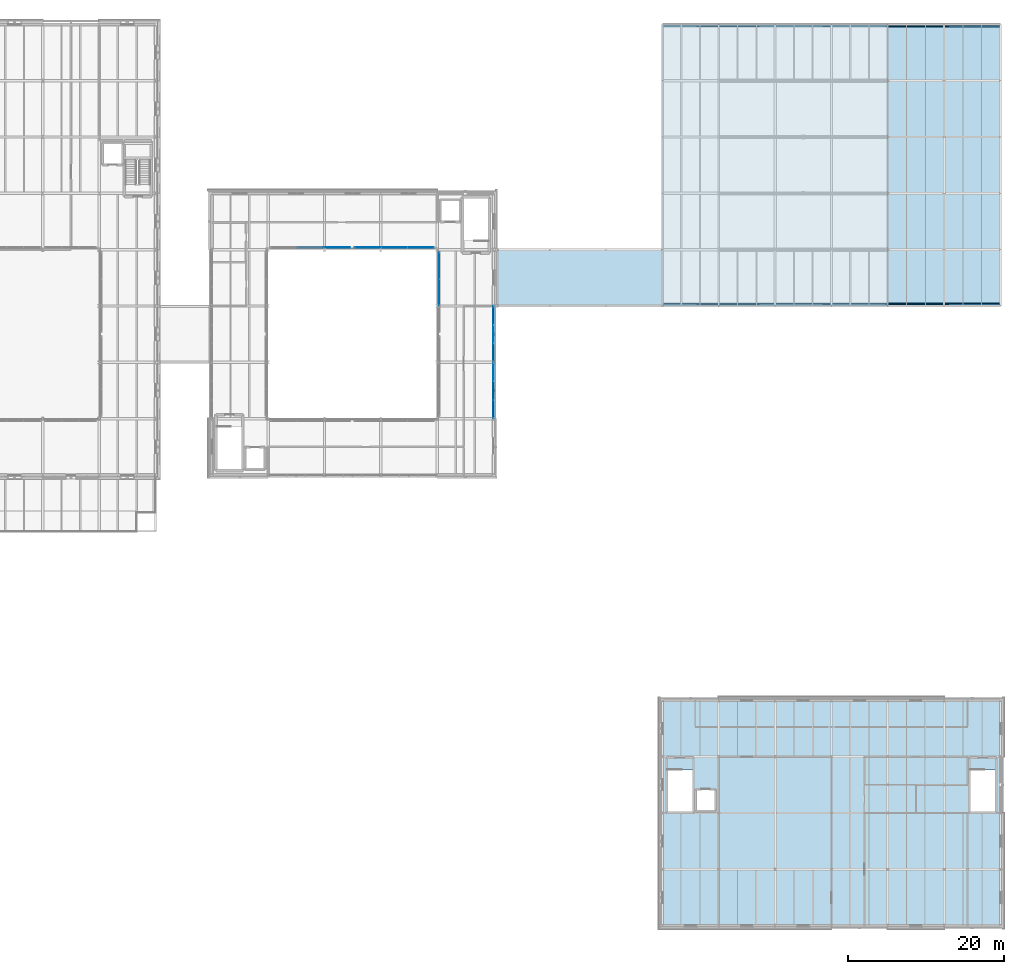
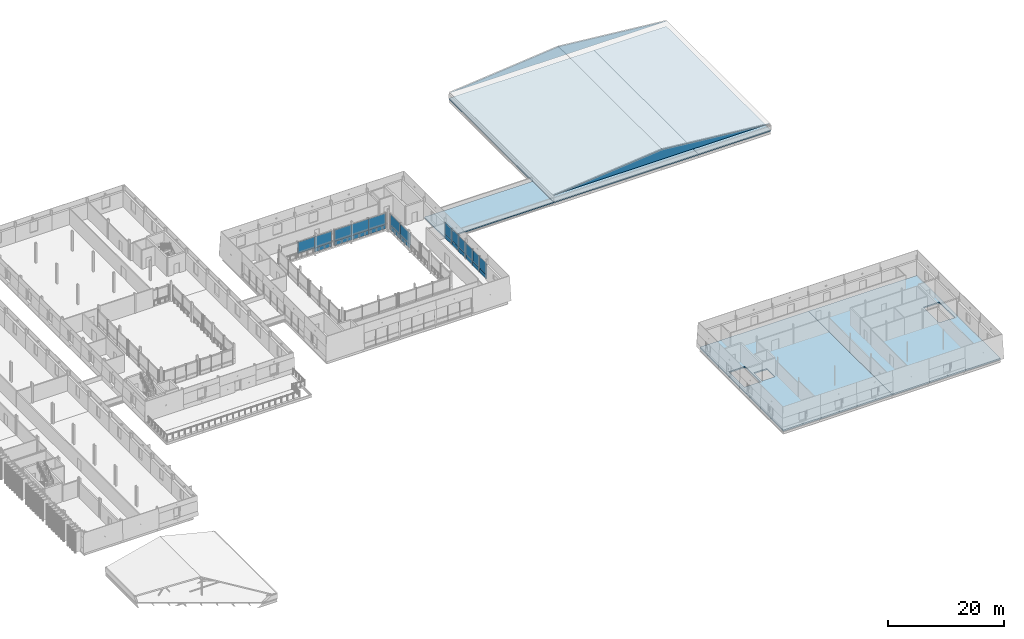
# One storey, part 49 of 91: 27 plates, 5 slabs, 5 elements without a shape of their own.
"""IFC4 building model written with IfcOpenShell, lengths in metres."""

from ifc_helpers import new_model, si_unit, direction, frame, origin, origin_2d, place, context, subcontext, project, spatial, polyline, rectangle, outline, extrude, material, layer, layer_set, type_object, element, aggregate, save


model = new_model("IFC4")

# Units and contexts
model_context = context("Model", 3, precision=1e-05, world=origin(), true_north=direction((0.0, 1.0)))
body_context = subcontext(model_context, "Body", "Model", "MODEL_VIEW")
ifc_project = project(units=[si_unit("LENGTHUNIT", "METRE"), si_unit("AREAUNIT", "SQUARE_METRE"), si_unit("VOLUMEUNIT", "CUBIC_METRE"), si_unit("PLANEANGLEUNIT", "RADIAN"), si_unit("MASSUNIT", "GRAM", prefix="KILO")], contexts=[model_context])

# Site, building, storey
site_placement = place(None, origin())
site = spatial("IfcSite", under=ifc_project, at=site_placement, CompositionType="ELEMENT")
building_placement = place(site_placement, origin())
building = spatial("IfcBuilding", under=site, at=building_placement, Name="Narikvali Park Central Library", CompositionType="ELEMENT")
storey_placement = place(building_placement, frame((0.0, 0.0, 14.39990234375)))
storey = spatial("IfcBuildingStorey", under=building, at=storey_placement, Name="L03", CompositionType="ELEMENT", Elevation=14.39990234375)

# Plates
ifc_material_1 = material(Name="White Honed Limestone Cladding", Category="masonry")
ifc_layer_1 = layer(ifc_material_1, 0.179931640625, Name="White Honed Limestone Cladding")
ifc_layer_set_1 = layer_set([ifc_layer_1], Name="White Honed Limestone Cladding")
plate_type_1 = type_object("IfcPlateType", Name="Classical Limestone Gable Tympanum 180", PredefinedType="SHEET", material=ifc_layer_set_1)
for number, where, z_axis, x_axis, name in (
    (1, (122.550048828125, 79.35009765625, 1.300048828125), (0.0, -1.0, 0.0), (1.0, 0.0, 0.0), "V3 L03 Classical Gable Pediment Tympanum S"),
    (2, (165.449951171875, 115.050048828125, 1.300048828125), (0.0, 1.0, 0.0), (-1.0, 0.0, 0.0), "V3 L03 Classical Gable Pediment Tympanum N"),
):
    element("IfcPlate", number, at=place(storey_placement, frame(where, z_axis=z_axis, x_axis=x_axis)), inside=storey, type_object=plate_type_1, Name=name, PredefinedType="SHEET", context=body_context, shape_type="SweptSolid", body=[
        extrude(outline(polyline([(0.0, 0.0), (42.89990234375, 0.0), (21.449951171875, 2.14013671875), (0.0, 0.0)])), origin(), (0.0, 0.0, -1.0), 0.179931640625),
    ])

# Slabs
ifc_material_2 = material(Name="Concrete C35/45", Category="concrete")
ifc_layer_2 = layer(ifc_material_2, 0.280029296875, Name="Concrete C35/45")
ifc_layer_set_2 = layer_set([ifc_layer_2], Name="Concrete C35/45")
slab_type_1 = type_object("IfcSlabType", Name="Composite Reading Floor Slab 280", PredefinedType="FLOOR", material=ifc_layer_set_2)
slab_1_placement = place(storey_placement, frame((0.0, 0.0, -0.27978515625)))
element("IfcSlab", 3, at=slab_1_placement, inside=storey, type_object=slab_type_1, Name="V6 L03 Structural Slab Panel 1", PredefinedType="FLOOR", context=body_context, shape_type="SweptSolid", body=[
    extrude(outline(polyline([(122.39990234375, 0.0), (144.0, 0.0), (144.0, 28.800048828125), (122.39990234375, 28.800048828125), (122.39990234375, 0.0)]), holes=[polyline([(123.050048828125, 14.550048828125), (126.25, 14.550048828125), (126.25, 19.89990234375), (123.050048828125, 19.89990234375), (123.050048828125, 14.550048828125)]), polyline([(126.64990234375, 14.64990234375), (129.199951171875, 14.64990234375), (129.199951171875, 17.449951171875), (126.64990234375, 17.449951171875), (126.64990234375, 14.64990234375)])]), origin(), (0.0, 0.0, 1.0), 0.27978515625),
])
slab_2_placement = place(storey_placement, frame((0.0, 0.0, -0.27978515625)))
element("IfcSlab", 4, at=slab_2_placement, inside=storey, type_object=slab_type_1, Name="V6 L03 Structural Slab Panel 2", PredefinedType="FLOOR", context=body_context, shape_type="SweptSolid", body=[
    extrude(outline(polyline([(144.0, 0.0), (165.60009765625, 0.0), (165.60009765625, 28.800048828125), (144.0, 28.800048828125), (144.0, 0.0)]), holes=[polyline([(161.75, 14.550048828125), (164.949951171875, 14.550048828125), (164.949951171875, 19.89990234375), (161.75, 19.89990234375), (161.75, 14.550048828125)])]), origin(), (0.0, 0.0, 1.0), 0.27978515625),
])

# Curtain wall, plate
ifc_material_3 = material(Name="Anodised Bronze Aluminium", Category="aluminium")
ifc_layer_3 = layer(ifc_material_3, 0.219970703125, Name="Anodised Bronze Aluminium")
ifc_layer_set_3 = layer_set([ifc_layer_3], Name="Anodised Bronze Aluminium")
curtain_wall_type_1 = type_object("IfcCurtainWallType", Name="Rotunda Drum Clerestory Curtain Wall", PredefinedType="NOTDEFINED", material=ifc_layer_set_3)
curtain_wall_1_placement = place(storey_placement, origin())
curtain_wall_1 = element("IfcCurtainWall", 5, at=curtain_wall_1_placement, inside=storey, type_object=curtain_wall_type_1, Name="Rotunda Drum Clerestory Curtain Wall CW-V1-L03-E-02", PredefinedType="NOTDEFINED")
ifc_material_4 = material(Name="Anodised Bronze Acoustic Spandrel Cassette")
ifc_layer_4 = layer(ifc_material_4, 0.1650390625, Name="Anodised Bronze Acoustic Spandrel Cassette")
ifc_layer_set_4 = layer_set([ifc_layer_4], Name="Anodised Bronze Acoustic Spandrel Cassette")
plate_type_2 = type_object("IfcPlateType", Name="Curtain Wall Acoustic Plenum Louvre Cassette 165", PredefinedType="CURTAIN_PANEL", material=ifc_layer_set_4)
plate_1_placement = place(storey_placement, frame((100.800048828125, 68.39990234375, 0.03515625), z_axis=(0.0, 0.0, 1.0), x_axis=(0.0, 1.0, 0.0)))
plate_1 = element("IfcPlate", 6, at=plate_1_placement, type_object=plate_type_2, Name="CW-V1-L03-E-02 Panel 01-0", PredefinedType="CURTAIN_PANEL", context=body_context, shape_type="SweptSolid", body=[
    extrude(rectangle(XDim=2.36474609375, YDim=0.1650390625, at=origin_2d()), origin(), (0.0, 0.0, 1.0), 0.860107421875),
])

curtain_wall_2_placement = place(storey_placement, origin())
curtain_wall_2 = element("IfcCurtainWall", 7, at=curtain_wall_2_placement, inside=storey, type_object=curtain_wall_type_1, Name="Rotunda Drum Clerestory Curtain Wall CW-V1-L03-E-03", PredefinedType="NOTDEFINED")
plate_2_placement = place(storey_placement, frame((100.800048828125, 73.225341796875, 0.03515625), z_axis=(0.0, 0.0, 1.0), x_axis=(0.0, 1.0, 0.0)))
plate_2 = element("IfcPlate", 8, at=plate_2_placement, type_object=plate_type_2, Name="CW-V1-L03-E-03 Panel 00-0", PredefinedType="CURTAIN_PANEL", context=body_context, shape_type="SweptSolid", body=[
    extrude(rectangle(XDim=2.36474609375, YDim=0.1650390625, at=origin_2d()), origin(), (0.0, 0.0, 1.0), 0.860107421875),
])

# Plate
ifc_material_5 = material(Name="Heavy Acoustic Laminated Clerestory Glazing", Category="glass")
ifc_layer_5 = layer(ifc_material_5, 0.06396484375, Name="Heavy Acoustic Laminated Clerestory Glazing")
ifc_layer_set_5 = layer_set([ifc_layer_5], Name="Heavy Acoustic Laminated Clerestory Glazing")
plate_type_3 = type_object("IfcPlateType", Name="Curtain Wall Clerestory Laminated Acoustic Glass 64", PredefinedType="CURTAIN_PANEL", material=ifc_layer_set_5)
plate_3_placement = place(storey_placement, frame((100.800048828125, 66.025390625, 0.905029296875), z_axis=(0.0, 0.0, 1.0), x_axis=(0.0, 1.0, 0.0)))
plate_3 = element("IfcPlate", 9, at=plate_3_placement, type_object=plate_type_3, Name="CW-V1-L03-E-02 Panel 00-1", PredefinedType="CURTAIN_PANEL", context=body_context, shape_type="SweptSolid", body=[
    extrude(rectangle(XDim=2.36474609375, YDim=0.06396484375, at=origin_2d()), origin(), (0.0, 0.0, 1.0), 2.39990234375),
])

plate_4_placement = place(storey_placement, frame((100.800048828125, 68.39990234375, 0.905029296875), z_axis=(0.0, 0.0, 1.0), x_axis=(0.0, 1.0, 0.0)))
plate_4 = element("IfcPlate", 10, at=plate_4_placement, type_object=plate_type_3, Name="CW-V1-L03-E-02 Panel 01-1", PredefinedType="CURTAIN_PANEL", context=body_context, shape_type="SweptSolid", body=[
    extrude(rectangle(XDim=2.36474609375, YDim=0.06396484375, at=origin_2d()), origin(), (0.0, 0.0, 1.0), 2.39990234375),
])

plate_5_placement = place(storey_placement, frame((100.800048828125, 70.774658203125, 0.905029296875), z_axis=(0.0, 0.0, 1.0), x_axis=(0.0, 1.0, 0.0)))
plate_5 = element("IfcPlate", 11, at=plate_5_placement, type_object=plate_type_3, Name="CW-V1-L03-E-02 Panel 02-1", PredefinedType="CURTAIN_PANEL", context=body_context, shape_type="SweptSolid", body=[
    extrude(rectangle(XDim=2.36474609375, YDim=0.06396484375, at=origin_2d()), origin(), (0.0, 0.0, 1.0), 2.39990234375),
])

# Curtain wall, plates
ifc_layer_6 = layer(ifc_material_3, 0.219970703125, Name="Anodised Bronze Aluminium")
ifc_layer_set_6 = layer_set([ifc_layer_6], Name="Anodised Bronze Aluminium")
curtain_wall_type_2 = type_object("IfcCurtainWallType", Name="Atrium Tall Curtain Wall System", PredefinedType="NOTDEFINED", material=ifc_layer_set_6)
curtain_wall_3_placement = place(storey_placement, origin())
curtain_wall_3 = element("IfcCurtainWall", 12, at=curtain_wall_3_placement, inside=storey, type_object=curtain_wall_type_2, Name="Atrium Tall Curtain Wall System CW-INT-V1-L03-N1", PredefinedType="NOTDEFINED")
plate_6_placement = place(storey_placement, frame((77.449951171875, 86.679931640625, 0.905029296875), z_axis=(0.0, 0.0, 1.0), x_axis=(1.0, 0.0, 0.0)))
plate_6 = element("IfcPlate", 13, at=plate_6_placement, type_object=plate_type_3, Name="CW-INT-V1-L03-N1 Panel 01-1", PredefinedType="CURTAIN_PANEL", context=body_context, shape_type="SweptSolid", body=[
    extrude(rectangle(XDim=3.356689453125, YDim=0.06396484375, at=origin_2d()), origin(), (0.0, 0.0, 1.0), 2.39990234375),
])
plate_7_placement = place(storey_placement, frame((80.816650390625, 86.679931640625, 0.905029296875), z_axis=(0.0, 0.0, 1.0), x_axis=(1.0, 0.0, 0.0)))
plate_7 = element("IfcPlate", 14, at=plate_7_placement, type_object=plate_type_3, Name="CW-INT-V1-L03-N1 Panel 02-1", PredefinedType="CURTAIN_PANEL", context=body_context, shape_type="SweptSolid", body=[
    extrude(rectangle(XDim=3.356689453125, YDim=0.06396484375, at=origin_2d()), origin(), (0.0, 0.0, 1.0), 2.39990234375),
])

curtain_wall_4_placement = place(storey_placement, origin())
curtain_wall_4 = element("IfcCurtainWall", 15, at=curtain_wall_4_placement, inside=storey, type_object=curtain_wall_type_2, Name="Atrium Tall Curtain Wall System CW-INT-V1-L03-N2", PredefinedType="NOTDEFINED")
plate_8_placement = place(storey_placement, frame((84.783203125, 86.679931640625, 0.03515625), z_axis=(0.0, 0.0, 1.0), x_axis=(1.0, 0.0, 0.0)))
plate_8 = element("IfcPlate", 16, at=plate_8_placement, type_object=plate_type_3, Name="CW-INT-V1-L03-N2 Panel 00-0", PredefinedType="CURTAIN_PANEL", context=body_context, shape_type="SweptSolid", body=[
    extrude(rectangle(XDim=3.356689453125, YDim=0.06396484375, at=origin_2d()), origin(), (0.0, 0.0, 1.0), 0.860107421875),
])
plate_9_placement = place(storey_placement, frame((88.14990234375, 86.679931640625, 0.03515625), z_axis=(0.0, 0.0, 1.0), x_axis=(1.0, 0.0, 0.0)))
plate_9 = element("IfcPlate", 17, at=plate_9_placement, type_object=plate_type_3, Name="CW-INT-V1-L03-N2 Panel 01-0", PredefinedType="CURTAIN_PANEL", context=body_context, shape_type="SweptSolid", body=[
    extrude(rectangle(XDim=3.356689453125, YDim=0.06396484375, at=origin_2d()), origin(), (0.0, 0.0, 1.0), 0.860107421875),
])
plate_10_placement = place(storey_placement, frame((91.5166015625, 86.679931640625, 0.03515625), z_axis=(0.0, 0.0, 1.0), x_axis=(1.0, 0.0, 0.0)))
plate_10 = element("IfcPlate", 18, at=plate_10_placement, type_object=plate_type_3, Name="CW-INT-V1-L03-N2 Panel 02-0", PredefinedType="CURTAIN_PANEL", context=body_context, shape_type="SweptSolid", body=[
    extrude(rectangle(XDim=3.356689453125, YDim=0.06396484375, at=origin_2d()), origin(), (0.0, 0.0, 1.0), 0.860107421875),
])

# Plate
ifc_material_6 = material(Name="Double Low-E Tempered Vision Glazing", Category="glass")
ifc_layer_7 = layer(ifc_material_6, 0.035888671875, Name="Double Low-E Tempered Vision Glazing")
ifc_layer_set_7 = layer_set([ifc_layer_7], Name="Double Low-E Tempered Vision Glazing")
plate_type_4 = type_object("IfcPlateType", Name="Curtain Wall Double Low-E Vision Glazing 36", PredefinedType="CURTAIN_PANEL", material=ifc_layer_set_7)
plate_11_placement = place(storey_placement, frame((100.800048828125, 73.225341796875, 0.905029296875), z_axis=(0.0, 0.0, 1.0), x_axis=(0.0, 1.0, 0.0)))
plate_11 = element("IfcPlate", 19, at=plate_11_placement, type_object=plate_type_4, Name="CW-V1-L03-E-03 Panel 00-1", PredefinedType="CURTAIN_PANEL", context=body_context, shape_type="SweptSolid", body=[
    extrude(rectangle(XDim=2.36474609375, YDim=0.035888671875, at=origin_2d()), origin(), (0.0, 0.0, 1.0), 2.39990234375),
])

plate_12_placement = place(storey_placement, frame((100.800048828125, 75.60009765625, 0.905029296875), z_axis=(0.0, 0.0, 1.0), x_axis=(0.0, 1.0, 0.0)))
plate_12 = element("IfcPlate", 20, at=plate_12_placement, type_object=plate_type_4, Name="CW-V1-L03-E-03 Panel 01-1", PredefinedType="CURTAIN_PANEL", context=body_context, shape_type="SweptSolid", body=[
    extrude(rectangle(XDim=2.36474609375, YDim=0.035888671875, at=origin_2d()), origin(), (0.0, 0.0, 1.0), 2.39990234375),
])

plate_13_placement = place(storey_placement, frame((100.800048828125, 77.974609375, 0.905029296875), z_axis=(0.0, 0.0, 1.0), x_axis=(0.0, 1.0, 0.0)))
plate_13 = element("IfcPlate", 21, at=plate_13_placement, type_object=plate_type_4, Name="CW-V1-L03-E-03 Panel 02-1", PredefinedType="CURTAIN_PANEL", context=body_context, shape_type="SweptSolid", body=[
    extrude(rectangle(XDim=2.36474609375, YDim=0.035888671875, at=origin_2d()), origin(), (0.0, 0.0, 1.0), 2.39990234375),
])

# Curtain wall, plates
curtain_wall_5_placement = place(storey_placement, origin())
curtain_wall_5 = element("IfcCurtainWall", 22, at=curtain_wall_5_placement, inside=storey, type_object=curtain_wall_type_2, Name="Atrium Tall Curtain Wall System CW-INT-V1-L03-E2", PredefinedType="NOTDEFINED")
plate_14_placement = place(storey_placement, frame((93.8798828125, 80.949951171875, 0.03515625), z_axis=(0.0, 0.0, 1.0), x_axis=(0.0, 1.0, 0.0)))
plate_14 = element("IfcPlate", 23, at=plate_14_placement, type_object=plate_type_4, Name="CW-INT-V1-L03-E2 Panel 01-0", PredefinedType="CURTAIN_PANEL", context=body_context, shape_type="SweptSolid", body=[
    extrude(rectangle(XDim=3.356689453125, YDim=0.035888671875, at=origin_2d()), origin(), (0.0, 0.0, 1.0), 0.860107421875),
])
plate_15_placement = place(storey_placement, frame((93.8798828125, 84.316650390625, 0.03515625), z_axis=(0.0, 0.0, 1.0), x_axis=(0.0, 1.0, 0.0)))
plate_15 = element("IfcPlate", 24, at=plate_15_placement, type_object=plate_type_4, Name="CW-INT-V1-L03-E2 Panel 02-0", PredefinedType="CURTAIN_PANEL", context=body_context, shape_type="SweptSolid", body=[
    extrude(rectangle(XDim=3.356689453125, YDim=0.035888671875, at=origin_2d()), origin(), (0.0, 0.0, 1.0), 0.860107421875),
])

# Plate
plate_16_placement = place(storey_placement, frame((84.783203125, 86.679931640625, 0.905029296875), z_axis=(0.0, 0.0, 1.0), x_axis=(1.0, 0.0, 0.0)))
plate_16 = element("IfcPlate", 25, at=plate_16_placement, type_object=plate_type_4, Name="CW-INT-V1-L03-N2 Panel 00-1", PredefinedType="CURTAIN_PANEL", context=body_context, shape_type="SweptSolid", body=[
    extrude(rectangle(XDim=3.356689453125, YDim=0.035888671875, at=origin_2d()), origin(), (0.0, 0.0, 1.0), 2.39990234375),
])

plate_17_placement = place(storey_placement, frame((88.14990234375, 86.679931640625, 0.905029296875), z_axis=(0.0, 0.0, 1.0), x_axis=(1.0, 0.0, 0.0)))
plate_17 = element("IfcPlate", 26, at=plate_17_placement, type_object=plate_type_4, Name="CW-INT-V1-L03-N2 Panel 01-1", PredefinedType="CURTAIN_PANEL", context=body_context, shape_type="SweptSolid", body=[
    extrude(rectangle(XDim=3.356689453125, YDim=0.035888671875, at=origin_2d()), origin(), (0.0, 0.0, 1.0), 2.39990234375),
])

plate_18_placement = place(storey_placement, frame((91.5166015625, 86.679931640625, 0.905029296875), z_axis=(0.0, 0.0, 1.0), x_axis=(1.0, 0.0, 0.0)))
plate_18 = element("IfcPlate", 27, at=plate_18_placement, type_object=plate_type_4, Name="CW-INT-V1-L03-N2 Panel 02-1", PredefinedType="CURTAIN_PANEL", context=body_context, shape_type="SweptSolid", body=[
    extrude(rectangle(XDim=3.356689453125, YDim=0.035888671875, at=origin_2d()), origin(), (0.0, 0.0, 1.0), 2.39990234375),
])

aggregate(curtain_wall_4, [plate_8, plate_16, plate_9, plate_17, plate_10, plate_18])

ifc_material_7 = material(Name="Anodised Bronze Insulated Spandrel Cassette")
ifc_layer_8 = layer(ifc_material_7, 0.110107421875, Name="Anodised Bronze Insulated Spandrel Cassette")
ifc_layer_set_8 = layer_set([ifc_layer_8], Name="Anodised Bronze Insulated Spandrel Cassette")
plate_type_5 = type_object("IfcPlateType", Name="Curtain Wall Insulated Bronze Spandrel Cassette 110", PredefinedType="CURTAIN_PANEL", material=ifc_layer_set_8)
plate_19_placement = place(storey_placement, frame((100.800048828125, 70.774658203125, 0.03515625), z_axis=(0.0, 0.0, 1.0), x_axis=(0.0, 1.0, 0.0)))
plate_19 = element("IfcPlate", 28, at=plate_19_placement, type_object=plate_type_5, Name="CW-V1-L03-E-02 Panel 02-0", PredefinedType="CURTAIN_PANEL", context=body_context, shape_type="SweptSolid", body=[
    extrude(rectangle(XDim=2.36474609375, YDim=0.110107421875, at=origin_2d()), origin(), (0.0, 0.0, 1.0), 0.860107421875),
])

plate_20_placement = place(storey_placement, frame((100.800048828125, 75.60009765625, 0.03515625), z_axis=(0.0, 0.0, 1.0), x_axis=(0.0, 1.0, 0.0)))
plate_20 = element("IfcPlate", 29, at=plate_20_placement, type_object=plate_type_5, Name="CW-V1-L03-E-03 Panel 01-0", PredefinedType="CURTAIN_PANEL", context=body_context, shape_type="SweptSolid", body=[
    extrude(rectangle(XDim=2.36474609375, YDim=0.110107421875, at=origin_2d()), origin(), (0.0, 0.0, 1.0), 0.860107421875),
])

ifc_material_8 = material(Name="Mineral-Wool Shadow-Box Spandrel Assembly")
ifc_layer_9 = layer(ifc_material_8, 0.139892578125, Name="Mineral-Wool Shadow-Box Spandrel Assembly")
ifc_layer_set_9 = layer_set([ifc_layer_9], Name="Mineral-Wool Shadow-Box Spandrel Assembly")
plate_type_6 = type_object("IfcPlateType", Name="Curtain Wall Shadow-Box Mineral Spandrel Panel 140", PredefinedType="CURTAIN_PANEL", material=ifc_layer_set_9)
plate_21_placement = place(storey_placement, frame((100.800048828125, 66.025390625, 0.03515625), z_axis=(0.0, 0.0, 1.0), x_axis=(0.0, 1.0, 0.0)))
plate_21 = element("IfcPlate", 30, at=plate_21_placement, type_object=plate_type_6, Name="CW-V1-L03-E-02 Panel 00-0", PredefinedType="CURTAIN_PANEL", context=body_context, shape_type="SweptSolid", body=[
    extrude(rectangle(XDim=2.36474609375, YDim=0.139892578125, at=origin_2d()), origin(), (0.0, 0.0, 1.0), 0.860107421875),
])

aggregate(curtain_wall_1, [plate_21, plate_3, plate_1, plate_4, plate_19, plate_5])

plate_22_placement = place(storey_placement, frame((100.800048828125, 77.974609375, 0.03515625), z_axis=(0.0, 0.0, 1.0), x_axis=(0.0, 1.0, 0.0)))
plate_22 = element("IfcPlate", 31, at=plate_22_placement, type_object=plate_type_6, Name="CW-V1-L03-E-03 Panel 02-0", PredefinedType="CURTAIN_PANEL", context=body_context, shape_type="SweptSolid", body=[
    extrude(rectangle(XDim=2.36474609375, YDim=0.139892578125, at=origin_2d()), origin(), (0.0, 0.0, 1.0), 0.860107421875),
])

aggregate(curtain_wall_2, [plate_2, plate_11, plate_20, plate_12, plate_22, plate_13])

ifc_material_9 = material(Name="Triple Low-E Acoustic Laminated Glazing", Category="glass")
ifc_layer_10 = layer(ifc_material_9, 0.048095703125, Name="Triple Low-E Acoustic Laminated Glazing")
ifc_layer_set_10 = layer_set([ifc_layer_10], Name="Triple Low-E Acoustic Laminated Glazing")
plate_type_7 = type_object("IfcPlateType", Name="Curtain Wall Triple Solar-Acoustic Glazing 48", PredefinedType="CURTAIN_PANEL", material=ifc_layer_set_10)
plate_23_placement = place(storey_placement, frame((93.8798828125, 80.949951171875, 0.905029296875), z_axis=(0.0, 0.0, 1.0), x_axis=(0.0, 1.0, 0.0)))
plate_23 = element("IfcPlate", 32, at=plate_23_placement, type_object=plate_type_7, Name="CW-INT-V1-L03-E2 Panel 01-1", PredefinedType="CURTAIN_PANEL", context=body_context, shape_type="SweptSolid", body=[
    extrude(rectangle(XDim=3.356689453125, YDim=0.048095703125, at=origin_2d()), origin(), (0.0, 0.0, 1.0), 2.39990234375),
])

plate_24_placement = place(storey_placement, frame((93.8798828125, 84.316650390625, 0.905029296875), z_axis=(0.0, 0.0, 1.0), x_axis=(0.0, 1.0, 0.0)))
plate_24 = element("IfcPlate", 33, at=plate_24_placement, type_object=plate_type_7, Name="CW-INT-V1-L03-E2 Panel 02-1", PredefinedType="CURTAIN_PANEL", context=body_context, shape_type="SweptSolid", body=[
    extrude(rectangle(XDim=3.356689453125, YDim=0.048095703125, at=origin_2d()), origin(), (0.0, 0.0, 1.0), 2.39990234375),
])

aggregate(curtain_wall_5, [plate_14, plate_23, plate_15, plate_24])

plate_25_placement = place(storey_placement, frame((80.816650390625, 86.679931640625, 0.03515625), z_axis=(0.0, 0.0, 1.0), x_axis=(1.0, 0.0, 0.0)))
plate_25 = element("IfcPlate", 34, at=plate_25_placement, type_object=plate_type_7, Name="CW-INT-V1-L03-N1 Panel 02-0", PredefinedType="CURTAIN_PANEL", context=body_context, shape_type="SweptSolid", body=[
    extrude(rectangle(XDim=3.356689453125, YDim=0.048095703125, at=origin_2d()), origin(), (0.0, 0.0, 1.0), 0.860107421875),
])

aggregate(curtain_wall_3, [plate_6, plate_25, plate_7])

# Slabs
ifc_layer_11 = layer(ifc_material_2, 0.239990234375, Name="Concrete C35/45")
ifc_layer_set_11 = layer_set([ifc_layer_11], Name="Concrete C35/45")
slab_type_2 = type_object("IfcSlabType", Name="Flat Acoustic Roof Slab 240", PredefinedType="ROOF", material=ifc_layer_set_11)
slab_3_placement = place(storey_placement, frame((0.0, 0.0, -0.239990234375)))
element("IfcSlab", 35, at=slab_3_placement, inside=storey, type_object=slab_type_2, Name="V3 L03 Structural Slab Panel 1", PredefinedType="ROOF", context=body_context, shape_type="SweptSolid", body=[
    extrude(outline(polyline([(122.39990234375, 79.199951171875), (151.199951171875, 79.199951171875), (151.199951171875, 115.199951171875), (122.39990234375, 115.199951171875), (122.39990234375, 79.199951171875)])), origin(), (0.0, 0.0, 1.0), 0.239990234375),
])
slab_4_placement = place(storey_placement, frame((0.0, 0.0, -0.239990234375)))
element("IfcSlab", 36, at=slab_4_placement, inside=storey, type_object=slab_type_2, Name="V3 L03 Structural Slab Panel 2", PredefinedType="ROOF", context=body_context, shape_type="SweptSolid", body=[
    extrude(outline(polyline([(151.199951171875, 79.199951171875), (165.60009765625, 79.199951171875), (165.60009765625, 115.199951171875), (151.199951171875, 115.199951171875), (151.199951171875, 79.199951171875)])), origin(), (0.0, 0.0, 1.0), 0.239990234375),
])
slab_5_placement = place(storey_placement, frame((0.0, 0.0, -0.239990234375)))
element("IfcSlab", 37, at=slab_5_placement, inside=storey, type_object=slab_type_2, Name="BRG-3 L03 Bridge Roof Slab", PredefinedType="ROOF", context=body_context, shape_type="SweptSolid", body=[
    extrude(outline(polyline([(100.840087890625, 79.199951171875), (122.360107421875, 79.199951171875), (122.360107421875, 86.39990234375), (100.840087890625, 86.39990234375), (100.840087890625, 79.199951171875)])), origin(), (0.0, 0.0, 1.0), 0.239990234375),
])

save(model, "model.ifc")
